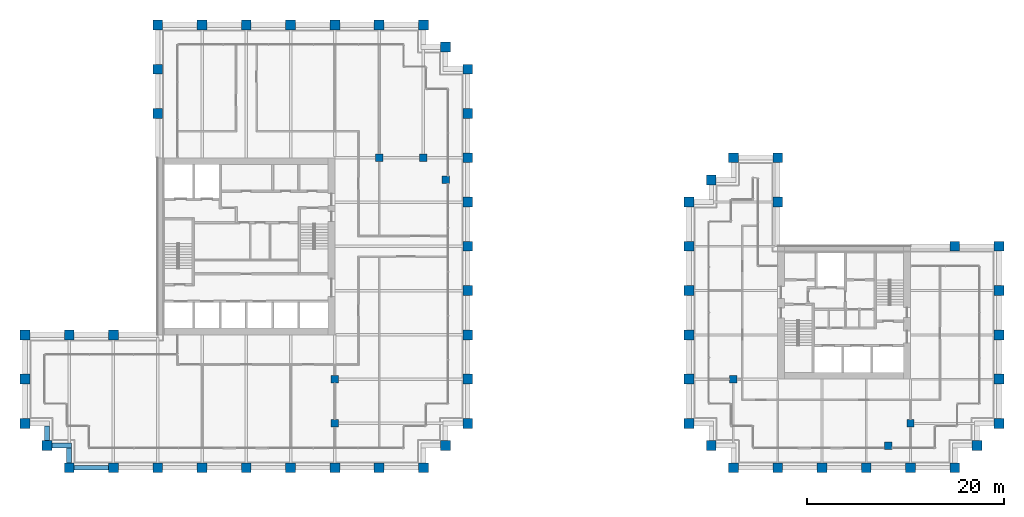
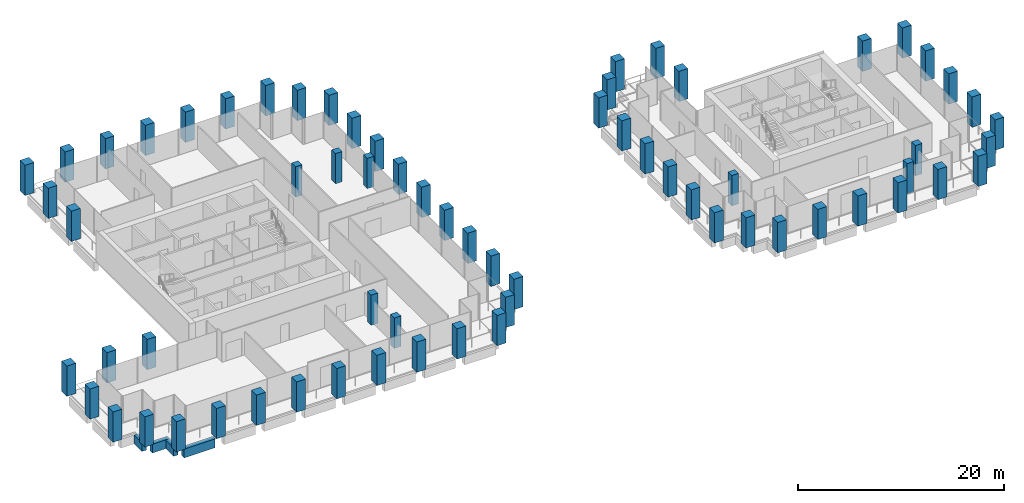
# One storey, part 1 of 46: 67 columns, 4 beams.
"""IFC4 building model written with IfcOpenShell, lengths in metres."""

from ifc_helpers import new_model, si_unit, direction, frame, origin, origin_2d, place, context, subcontext, project, spatial, rectangle, extrude, material, material_profile, profile_set, type_object, element, save


model = new_model("IFC4")

# Units and contexts
model_context = context("Model", 3, precision=1e-05, world=origin(), true_north=direction((0.0, 1.0)))
body_context = subcontext(model_context, "Body", "Model", "MODEL_VIEW")
ifc_project = project(units=[si_unit("LENGTHUNIT", "METRE"), si_unit("AREAUNIT", "SQUARE_METRE"), si_unit("VOLUMEUNIT", "CUBIC_METRE"), si_unit("PLANEANGLEUNIT", "RADIAN"), si_unit("MASSUNIT", "GRAM", prefix="KILO")], contexts=[model_context])

# Site, building, storey
site_placement = place(None, origin())
site = spatial("IfcSite", under=ifc_project, at=site_placement, CompositionType="ELEMENT")
building_placement = place(site_placement, origin())
building = spatial("IfcBuilding", under=site, at=building_placement, Name="Altepetl Exchange Towers", CompositionType="ELEMENT")
storey_placement = place(building_placement, frame((0.0, 0.0, 102.800048828125)))
storey = spatial("IfcBuildingStorey", under=building, at=storey_placement, Name="L25", CompositionType="ELEMENT", Elevation=102.800048828125)

# Columns
ifc_material_1 = material(Name="Concrete C70/85", Category="concrete")
ifc_material_profile_1 = material_profile(ifc_material_1, rectangle(XDim=0.75, YDim=0.75, at=origin_2d()), Name="750 x 750")
ifc_profile_set_1 = profile_set([ifc_material_profile_1], Name="Concrete C70/85")
column_type_1 = type_object("IfcColumnType", Name="Interior column 750", PredefinedType="COLUMN", material=ifc_profile_set_1)
for number, where, name in (
    (1, (58.5, 31.5, 0.0), "col:A:L25:035"),
    (2, (58.5, 36.0, 0.0), "col:A:L25:036"),
    (3, (63.0, 58.5, 0.0), "col:A:L25:037"),
    (4, (67.5, 58.5, 0.0), "col:A:L25:038"),
    (5, (69.75, 56.25, 0.0), "col:A:L25:039"),
    (6, (99.0, 36.0, 0.0), "col:B:L25:024"),
    (7, (114.75, 29.25, 0.0), "col:B:L25:025"),
    (8, (117.0, 31.5, 0.0), "col:B:L25:026"),
):
    element("IfcColumn", number, at=place(storey_placement, frame(where)), inside=storey, type_object=column_type_1, Name=name, PredefinedType="COLUMN", context=body_context, shape_type="SweptSolid", body=[
        extrude(rectangle(XDim=0.75, YDim=0.75, at=origin_2d()), origin(), (0.0, 0.0, 1.0), 3.599853515625),
    ])
ifc_material_2 = material(Name="Concrete C70/85 precast with cantera amarilla facing", Category="concrete")
ifc_material_profile_2 = material_profile(ifc_material_2, rectangle(XDim=1.0, YDim=1.0, at=origin_2d()), Name="1000 x 1000")
ifc_profile_set_2 = profile_set([ifc_material_profile_2], Name="Concrete C70/85 precast with cantera amarilla facing")
column_type_2 = type_object("IfcColumnType", Name="Perimeter column 1000 cantera amarilla", PredefinedType="COLUMN", material=ifc_profile_set_2)
for number, where, name in (
    (9, (58.5, 27.0, 0.0), "col:A:L25:006"),
    (10, (63.0, 27.0, 0.0), "col:A:L25:007"),
    (11, (67.5, 27.0, 0.0), "col:A:L25:008"),
    (12, (69.75, 29.25, 0.0), "col:A:L25:009"),
    (13, (72.0, 31.5, 0.0), "col:A:L25:010"),
    (14, (72.0, 36.0, 0.0), "col:A:L25:011"),
    (15, (72.0, 40.5, 0.0), "col:A:L25:012"),
    (16, (72.0, 45.0, 0.0), "col:A:L25:013"),
    (17, (72.0, 49.5, 0.0), "col:A:L25:014"),
    (18, (72.0, 54.0, 0.0), "col:A:L25:015"),
    (19, (126.0, 49.5, 0.0), "col:B:L25:011"),
    (20, (121.5, 49.5, 0.0), "col:B:L25:012"),
):
    element("IfcColumn", number, at=place(storey_placement, frame(where)), inside=storey, type_object=column_type_2, Name=name, PredefinedType="COLUMN", context=body_context, shape_type="SweptSolid", body=[
        extrude(rectangle(XDim=1.0, YDim=1.0, at=origin_2d()), origin(), (0.0, 0.0, 1.0), 3.599853515625),
    ])
ifc_material_3 = material(Name="Concrete C70/85 precast with cantera blanca facing", Category="concrete")
ifc_material_profile_3 = material_profile(ifc_material_3, rectangle(XDim=1.0, YDim=1.0, at=origin_2d()), Name="1000 x 1000")
ifc_profile_set_3 = profile_set([ifc_material_profile_3], Name="Concrete C70/85 precast with cantera blanca facing")
column_type_3 = type_object("IfcColumnType", Name="Perimeter column 1000 cantera blanca", PredefinedType="COLUMN", material=ifc_profile_set_3)
for number, where, name in (
    (21, (31.5, 27.0, 0.0), "col:A:L25:000"),
    (22, (36.0, 27.0, 0.0), "col:A:L25:001"),
    (23, (40.5, 27.0, 0.0), "col:A:L25:002"),
    (24, (45.0, 27.0, 0.0), "col:A:L25:003"),
    (25, (49.5, 27.0, 0.0), "col:A:L25:004"),
    (26, (54.0, 27.0, 0.0), "col:A:L25:005"),
    (27, (27.0, 36.0, 0.0), "col:A:L25:032"),
    (28, (27.0, 31.5, 0.0), "col:A:L25:033"),
    (29, (29.25, 29.25, 0.0), "col:A:L25:034"),
    (30, (117.0, 27.0, 0.0), "col:B:L25:004"),
    (31, (121.5, 27.0, 0.0), "col:B:L25:005"),
    (32, (123.75, 29.25, 0.0), "col:B:L25:006"),
    (33, (126.0, 31.5, 0.0), "col:B:L25:007"),
    (34, (126.0, 36.0, 0.0), "col:B:L25:008"),
    (35, (126.0, 40.5, 0.0), "col:B:L25:009"),
    (36, (126.0, 45.0, 0.0), "col:B:L25:010"),
):
    element("IfcColumn", number, at=place(storey_placement, frame(where)), inside=storey, type_object=column_type_3, Name=name, PredefinedType="COLUMN", context=body_context, shape_type="SweptSolid", body=[
        extrude(rectangle(XDim=1.0, YDim=1.0, at=origin_2d()), origin(), (0.0, 0.0, 1.0), 3.599853515625),
    ])
ifc_material_4 = material(Name="Concrete C70/85 precast with cantera rosa facing", Category="concrete")
ifc_material_profile_4 = material_profile(ifc_material_4, rectangle(XDim=1.0, YDim=1.0, at=origin_2d()), Name="1000 x 1000")
ifc_profile_set_4 = profile_set([ifc_material_profile_4], Name="Concrete C70/85 precast with cantera rosa facing")
column_type_4 = type_object("IfcColumnType", Name="Perimeter column 1000 cantera rosa", PredefinedType="COLUMN", material=ifc_profile_set_4)
for number, where, name in (
    (37, (72.0, 58.5, 0.0), "col:A:L25:016"),
    (38, (72.0, 63.0, 0.0), "col:A:L25:017"),
    (39, (72.0, 67.5, 0.0), "col:A:L25:018"),
    (40, (69.75, 69.75, 0.0), "col:A:L25:019"),
    (41, (67.5, 72.0, 0.0), "col:A:L25:020"),
    (42, (63.0, 72.0, 0.0), "col:A:L25:021"),
    (43, (58.5, 72.0, 0.0), "col:A:L25:022"),
    (44, (54.0, 72.0, 0.0), "col:A:L25:023"),
    (45, (49.5, 72.0, 0.0), "col:A:L25:024"),
    (46, (45.0, 72.0, 0.0), "col:A:L25:025"),
    (47, (103.5, 54.0, 0.0), "col:B:L25:013"),
    (48, (103.5, 58.5, 0.0), "col:B:L25:014"),
    (49, (99.0, 58.5, 0.0), "col:B:L25:015"),
    (50, (96.75, 56.25, 0.0), "col:B:L25:016"),
    (51, (94.5, 54.0, 0.0), "col:B:L25:017"),
    (52, (94.5, 49.5, 0.0), "col:B:L25:018"),
    (53, (94.5, 45.0, 0.0), "col:B:L25:019"),
    (54, (94.5, 40.5, 0.0), "col:B:L25:020"),
    (55, (94.5, 36.0, 0.0), "col:B:L25:021"),
):
    element("IfcColumn", number, at=place(storey_placement, frame(where)), inside=storey, type_object=column_type_4, Name=name, PredefinedType="COLUMN", context=body_context, shape_type="SweptSolid", body=[
        extrude(rectangle(XDim=1.0, YDim=1.0, at=origin_2d()), origin(), (0.0, 0.0, 1.0), 3.599853515625),
    ])
ifc_material_5 = material(Name="Concrete C70/85 precast with tezontle facing", Category="concrete")
ifc_material_profile_5 = material_profile(ifc_material_5, rectangle(XDim=1.0, YDim=1.0, at=origin_2d()), Name="1000 x 1000")
ifc_profile_set_5 = profile_set([ifc_material_profile_5], Name="Concrete C70/85 precast with tezontle facing")
column_type_5 = type_object("IfcColumnType", Name="Perimeter column 1000 tezontle", PredefinedType="COLUMN", material=ifc_profile_set_5)
for number, where, name in (
    (56, (40.5, 72.0, 0.0), "col:A:L25:026"),
    (57, (40.5, 67.5, 0.0), "col:A:L25:027"),
    (58, (40.5, 63.0, 0.0), "col:A:L25:028"),
    (59, (36.0, 40.5, 0.0), "col:A:L25:029"),
    (60, (31.5, 40.5, 0.0), "col:A:L25:030"),
    (61, (27.0, 40.5, 0.0), "col:A:L25:031"),
    (62, (99.0, 27.0, 0.0), "col:B:L25:000"),
    (63, (103.5, 27.0, 0.0), "col:B:L25:001"),
    (64, (108.0, 27.0, 0.0), "col:B:L25:002"),
    (65, (112.5, 27.0, 0.0), "col:B:L25:003"),
    (66, (94.5, 31.5, 0.0), "col:B:L25:022"),
    (67, (96.75, 29.25, 0.0), "col:B:L25:023"),
):
    element("IfcColumn", number, at=place(storey_placement, frame(where)), inside=storey, type_object=column_type_5, Name=name, PredefinedType="COLUMN", context=body_context, shape_type="SweptSolid", body=[
        extrude(rectangle(XDim=1.0, YDim=1.0, at=origin_2d()), origin(), (0.0, 0.0, 1.0), 3.599853515625),
    ])

# Beams
ifc_material_6 = material(Name="Concrete C50/60 precast with cantera blanca facing", Category="concrete")
ifc_material_profile_6 = material_profile(ifc_material_6, rectangle(XDim=0.5, YDim=1.050048828125, at=origin_2d()), Name="500 x 1050")
ifc_profile_set_6 = profile_set([ifc_material_profile_6], Name="Concrete C50/60 precast with cantera blanca facing")
beam_type = type_object("IfcBeamType", Name="Spandrel beam 500x1050 cantera blanca", PredefinedType="SPANDREL", material=ifc_profile_set_6)
beam_1_placement = place(storey_placement, frame((32.0, 27.0, -0.675048828125), z_axis=(1.0, 0.0, 0.0), x_axis=(0.0, 1.0, 0.0)))
element("IfcBeam", 68, at=beam_1_placement, inside=storey, type_object=beam_type, Name="sp:A:L25:000", PredefinedType="SPANDREL", context=body_context, shape_type="SweptSolid", body=[
    extrude(rectangle(XDim=0.5, YDim=1.050048828125, at=origin_2d()), origin(), (0.0, 0.0, 1.0), 3.5),
])
beam_2_placement = place(storey_placement, frame((29.25, 31.25, -0.675048828125), z_axis=(0.0, -1.0, 0.0), x_axis=(1.0, 0.0, 0.0)))
element("IfcBeam", 69, at=beam_2_placement, inside=storey, type_object=beam_type, Name="sp:A:L25:039", PredefinedType="SPANDREL", context=body_context, shape_type="SweptSolid", body=[
    extrude(rectangle(XDim=0.5, YDim=1.050048828125, at=origin_2d()), origin(), (0.0, 0.0, 1.0), 1.5),
])
beam_3_placement = place(storey_placement, frame((29.75, 29.25, -0.675048828125), z_axis=(1.0, 0.0, 0.0), x_axis=(0.0, 1.0, 0.0)))
element("IfcBeam", 70, at=beam_3_placement, inside=storey, type_object=beam_type, Name="sp:A:L25:040", PredefinedType="SPANDREL", context=body_context, shape_type="SweptSolid", body=[
    extrude(rectangle(XDim=0.5, YDim=1.050048828125, at=origin_2d()), origin(), (0.0, 0.0, 1.0), 2.0),
])
beam_4_placement = place(storey_placement, frame((31.5, 29.0, -0.675048828125), z_axis=(0.0, -1.0, 0.0), x_axis=(1.0, 0.0, 0.0)))
element("IfcBeam", 71, at=beam_4_placement, inside=storey, type_object=beam_type, Name="sp:A:L25:041", PredefinedType="SPANDREL", context=body_context, shape_type="SweptSolid", body=[
    extrude(rectangle(XDim=0.5, YDim=1.050048828125, at=origin_2d()), origin(), (0.0, 0.0, 1.0), 1.5),
])

save(model, "model.ifc")
